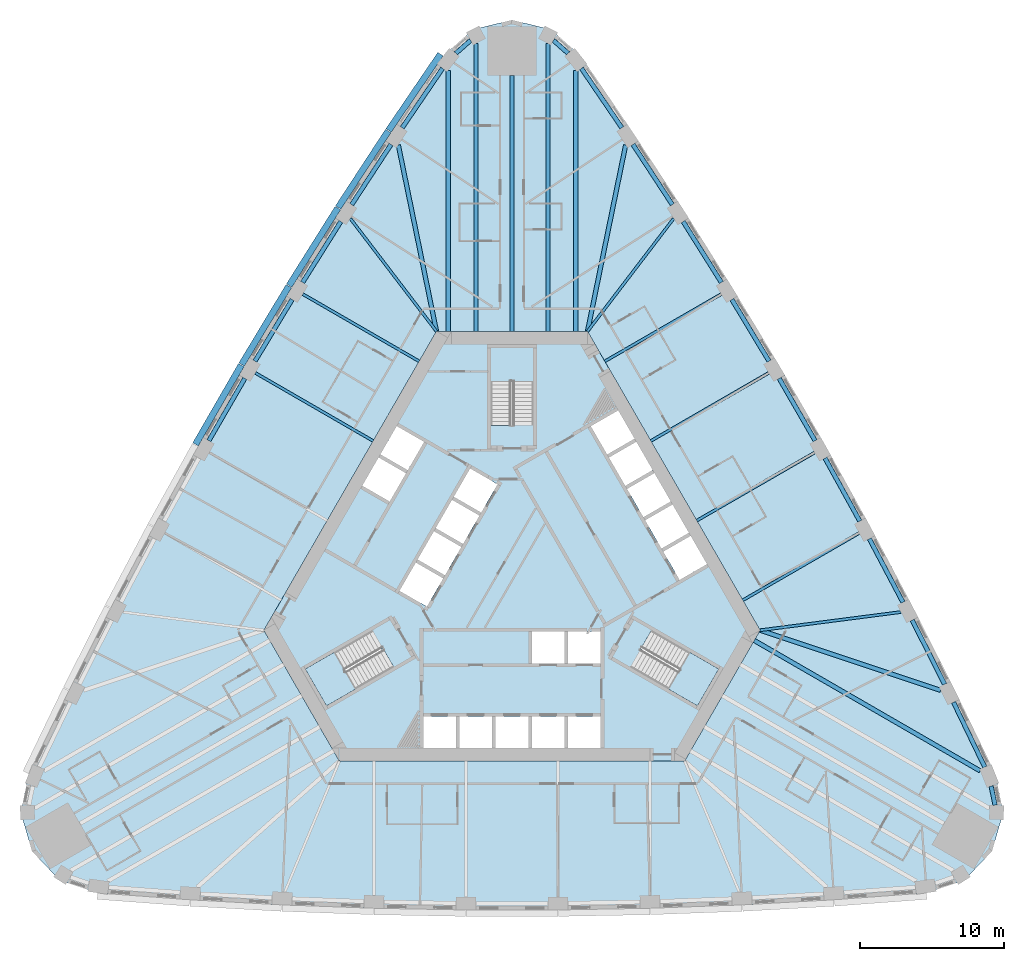
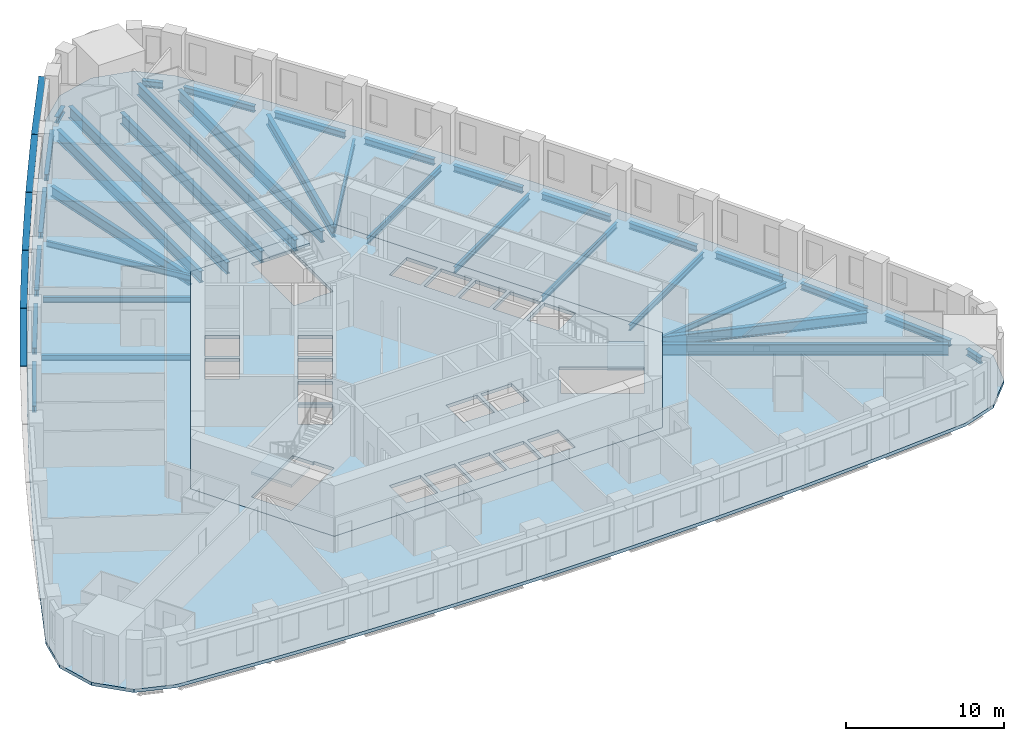
# One storey, part 2 of 12: 35 beams, 5 members, 5 slabs, 3 elements without a shape of their own.
"""IFC4 building model written with IfcOpenShell, lengths in metres."""

from ifc_helpers import new_model, si_unit, direction, frame, origin, origin_2d, place, context, subcontext, project, spatial, polyline, rectangle, i_section, outline, extrude, material, layer, layer_set, material_profile, profile_set, type_object, element, aggregate, save


model = new_model("IFC4")

# Units and contexts
model_context = context("Model", 3, precision=1e-05, world=origin(), true_north=direction((0.0, 1.0)))
body_context = subcontext(model_context, "Body", "Model", "MODEL_VIEW")
ifc_project = project(units=[si_unit("LENGTHUNIT", "METRE"), si_unit("AREAUNIT", "SQUARE_METRE"), si_unit("VOLUMEUNIT", "CUBIC_METRE"), si_unit("PLANEANGLEUNIT", "RADIAN"), si_unit("MASSUNIT", "GRAM", prefix="KILO")], contexts=[model_context])

# Site, building, storey
site_placement = place(None, origin())
site = spatial("IfcSite", under=ifc_project, at=site_placement, CompositionType="ELEMENT")
building_placement = place(site_placement, origin())
building = spatial("IfcBuilding", under=site, at=building_placement, Name="Mestral Congress Tower", CompositionType="ELEMENT")
storey_placement = place(building_placement, frame((0.0, 0.0, 66.60009765625)))
storey = spatial("IfcBuildingStorey", under=building, at=storey_placement, Name="L15", CompositionType="ELEMENT", Elevation=66.60009765625)

# Members
ifc_material_1 = material(Name="Glazed ceramic", Category="masonry")
ifc_material_profile_1 = material_profile(ifc_material_1, rectangle(XDim=0.449951171875, YDim=0.06005859375, at=origin_2d()), Name="Ceramic blade 450 x 60")
ifc_profile_set_1 = profile_set([ifc_material_profile_1], Name="Glazed ceramic")
member_type = type_object("IfcMemberType", Name="Facade sunshade blade 450 x 60", PredefinedType="USERDEFINED", material=ifc_profile_set_1)
member_1_placement = place(storey_placement, frame((-4.973388671875, 36.188232421875, 3.27978515625), z_axis=(-0.562633427576, -0.826706493367, 0.0), x_axis=(0.826706493367, -0.562633427576, 0.0)))
element("IfcMember", 1, at=member_1_placement, inside=storey, type_object=member_type, Name="Sunshade F2-00", ObjectType="SUNSHADE", PredefinedType="USERDEFINED", context=body_context, shape_type="SweptSolid", body=[
    extrude(rectangle(XDim=0.449951171875, YDim=0.06005859375, at=origin_2d()), origin(), (0.0, 0.0, 1.0), 6.4208984375),
])
member_2_placement = place(storey_placement, frame((-8.6103515625, 30.843505859375, 3.27978515625), z_axis=(-0.547211145376, -0.836994601163, 0.0), x_axis=(0.836994601163, -0.547211145376, 0.0)))
element("IfcMember", 2, at=member_2_placement, inside=storey, type_object=member_type, Name="Sunshade F2-01", ObjectType="SUNSHADE", PredefinedType="USERDEFINED", context=body_context, shape_type="SweptSolid", body=[
    extrude(rectangle(XDim=0.449951171875, YDim=0.06005859375, at=origin_2d()), origin(), (0.0, 0.0, 1.0), 6.368408203125),
])
for number, where, z_axis, x_axis, name in (
    (3, (-12.119140625, 25.47607421875, 3.27978515625), (-0.531665815747, -0.846954225662, 0.0), (0.846954225662, -0.531665815747, 0.0), "Sunshade F2-02"),
    (4, (-15.528076171875, 20.044921875, 3.27978515625), (-0.515904518528, -0.856646092481, 0.0), (0.856646092481, -0.515904518528, 0.0), "Sunshade F2-03"),
):
    element("IfcMember", number, at=place(storey_placement, frame(where, z_axis=z_axis, x_axis=x_axis)), inside=storey, type_object=member_type, Name=name, ObjectType="SUNSHADE", PredefinedType="USERDEFINED", context=body_context, shape_type="SweptSolid", body=[
        extrude(rectangle(XDim=0.449951171875, YDim=0.06005859375, at=origin_2d()), origin(), (0.0, 0.0, 1.0), 6.3681640625),
    ])
member_3_placement = place(storey_placement, frame((-18.8359375, 14.5517578125, 3.27978515625), z_axis=(-0.499990149842, -0.866031090701, 0.0), x_axis=(0.866031090701, -0.499990149842, 0.0)))
element("IfcMember", 5, at=member_3_placement, inside=storey, type_object=member_type, Name="Sunshade F2-04", ObjectType="SUNSHADE", PredefinedType="USERDEFINED", context=body_context, shape_type="SweptSolid", body=[
    extrude(rectangle(XDim=0.449951171875, YDim=0.06005859375, at=origin_2d()), origin(), (0.0, 0.0, 1.0), 6.368408203125),
])

# Beams
ifc_material_2 = material(Name="Steel S355", Category="steel")
ifc_material_profile_2 = material_profile(ifc_material_2, i_section(OverallWidth=0.300048828125, OverallDepth=0.800048828125, WebThickness=0.017578125, FlangeThickness=0.032958984375, FilletRadius=0.030029296875, at=origin_2d()), Name="HEB 800")
ifc_profile_set_2 = profile_set([ifc_material_profile_2], Name="Steel S355")
beam_type_1 = type_object("IfcBeamType", Name="Floor beam HEB 800 S355", PredefinedType="BEAM", material=ifc_profile_set_2)
for number, where, z_axis, x_axis, name in (
    (6, (29.8203125, -8.08349609375, -0.650146484375), (-0.948734931285, 0.316072824141, 0.0), (-0.316072824141, -0.948734931285, 0.0), "BM-L15-RB1-E01"),
    (7, (7.90966796875, 29.86669921875, -0.650146484375), (-0.200647311614, -0.979663542418, 0.0), (0.979663542418, -0.200647311614, 0.0), "BM-L15-RB1-E08"),
    (8, (-7.90966796875, 29.86669921875, -0.650146484375), (0.200647311614, -0.979663542418, 0.0), (0.979663542418, 0.200647311614, 0.0), "BM-L15-RB1-W01"),
):
    element("IfcBeam", number, at=place(storey_placement, frame(where, z_axis=z_axis, x_axis=x_axis)), inside=storey, type_object=beam_type_1, Name=name, PredefinedType="BEAM", context=body_context, shape_type="SweptSolid", body=[
        extrude(i_section(OverallWidth=0.300048828125, OverallDepth=0.800048828125, WebThickness=0.017578125, FlangeThickness=0.032958984375, FilletRadius=0.030029296875, at=origin_2d()), origin(), (0.0, 0.0, 1.0), 13.236083984375),
    ])
ifc_material_profile_3 = material_profile(ifc_material_2, i_section(OverallWidth=0.300048828125, OverallDepth=0.89990234375, WebThickness=0.0185546875, FlangeThickness=0.034912109375, FilletRadius=0.030029296875, at=origin_2d()), Name="HEB 900")
ifc_profile_set_3 = profile_set([ifc_material_profile_3], Name="Steel S355")
beam_type_2 = type_object("IfcBeamType", Name="Floor beam HEB 900 S355", PredefinedType="BEAM", material=ifc_profile_set_3)
beam_1_placement = place(storey_placement, frame((32.574462890625, -13.6845703125, -0.7001953125), z_axis=(-0.866029704776, 0.49999255039, 0.0), x_axis=(-0.49999255039, -0.866029704776, 0.0)))
element("IfcBeam", 9, at=beam_1_placement, inside=storey, type_object=beam_type_2, Name="BM-L15-RB1-E00", PredefinedType="BEAM", context=body_context, shape_type="SweptSolid", body=[
    extrude(i_section(OverallWidth=0.300048828125, OverallDepth=0.89990234375, WebThickness=0.0185546875, FlangeThickness=0.034912109375, FilletRadius=0.030029296875, at=origin_2d()), origin(), (0.0, 0.0, 1.0), 18.152587890625),
])
beam_2_placement = place(storey_placement, frame((4.43603515625, 35.052734375, -0.7001953125), z_axis=(0.0, -1.0, 0.0), x_axis=(1.0, 0.0, 0.0)))
element("IfcBeam", 10, at=beam_2_placement, inside=storey, type_object=beam_type_2, Name="BM-L15-RB1-E09", PredefinedType="BEAM", context=body_context, shape_type="SweptSolid", body=[
    extrude(i_section(OverallWidth=0.300048828125, OverallDepth=0.89990234375, WebThickness=0.0185546875, FlangeThickness=0.034912109375, FilletRadius=0.030029296875, at=origin_2d()), origin(), (0.0, 0.0, 1.0), 18.15283203125),
])
beam_3_placement = place(storey_placement, frame((2.503173828125, 36.91943359375, -0.7001953125), z_axis=(0.0, -1.0, 0.0), x_axis=(1.0, 0.0, 0.0)))
element("IfcBeam", 11, at=beam_3_placement, inside=storey, type_object=beam_type_2, Name="BM-L15-RB1-N1", PredefinedType="BEAM", context=body_context, shape_type="SweptSolid", body=[
    extrude(i_section(OverallWidth=0.300048828125, OverallDepth=0.89990234375, WebThickness=0.0185546875, FlangeThickness=0.034912109375, FilletRadius=0.030029296875, at=origin_2d()), origin(), (0.0, 0.0, 1.0), 20.01953125),
])
beam_4_placement = place(storey_placement, frame((0.0, 34.698974609375, -0.7001953125), z_axis=(0.0, -1.0, 0.0), x_axis=(1.0, 0.0, 0.0)))
element("IfcBeam", 12, at=beam_4_placement, inside=storey, type_object=beam_type_2, Name="BM-L15-RB1-N", PredefinedType="BEAM", context=body_context, shape_type="SweptSolid", body=[
    extrude(i_section(OverallWidth=0.300048828125, OverallDepth=0.89990234375, WebThickness=0.0185546875, FlangeThickness=0.034912109375, FilletRadius=0.030029296875, at=origin_2d()), origin(), (0.0, 0.0, 1.0), 17.799072265625),
])
beam_5_placement = place(storey_placement, frame((-2.503173828125, 36.91943359375, -0.7001953125), z_axis=(0.0, -1.0, 0.0), x_axis=(1.0, 0.0, 0.0)))
element("IfcBeam", 13, at=beam_5_placement, inside=storey, type_object=beam_type_2, Name="BM-L15-RB1-N3", PredefinedType="BEAM", context=body_context, shape_type="SweptSolid", body=[
    extrude(i_section(OverallWidth=0.300048828125, OverallDepth=0.89990234375, WebThickness=0.0185546875, FlangeThickness=0.034912109375, FilletRadius=0.030029296875, at=origin_2d()), origin(), (0.0, 0.0, 1.0), 20.01953125),
])
beam_6_placement = place(storey_placement, frame((-4.43603515625, 35.052734375, -0.7001953125), z_axis=(0.0, -1.0, 0.0), x_axis=(1.0, 0.0, 0.0)))
element("IfcBeam", 14, at=beam_6_placement, inside=storey, type_object=beam_type_2, Name="BM-L15-RB1-W00", PredefinedType="BEAM", context=body_context, shape_type="SweptSolid", body=[
    extrude(i_section(OverallWidth=0.300048828125, OverallDepth=0.89990234375, WebThickness=0.0185546875, FlangeThickness=0.034912109375, FilletRadius=0.030029296875, at=origin_2d()), origin(), (0.0, 0.0, 1.0), 18.15283203125),
])
ifc_material_profile_4 = material_profile(ifc_material_2, i_section(OverallWidth=0.18994140625, OverallDepth=0.449951171875, WebThickness=0.009521484375, FlangeThickness=0.0146484375, FilletRadius=0.02099609375, at=origin_2d()), Name="IPE 450")
ifc_profile_set_4 = profile_set([ifc_material_profile_4], Name="Steel S355")
beam_type_3 = type_object("IfcBeamType", Name="Floor beam IPE 450 S355", PredefinedType="BEAM", material=ifc_profile_set_4)
beam_7_placement = place(storey_placement, frame((27.058349609375, -2.6337890625, -0.47509765625), z_axis=(-0.99175011495, -0.128186229747, 0.0), x_axis=(0.128186229747, -0.99175011495, 0.0)))
element("IfcBeam", 15, at=beam_7_placement, inside=storey, type_object=beam_type_3, Name="BM-L15-RB1-E02", PredefinedType="BEAM", context=body_context, shape_type="SweptSolid", body=[
    extrude(i_section(OverallWidth=0.18994140625, OverallDepth=0.449951171875, WebThickness=0.009521484375, FlangeThickness=0.0146484375, FilletRadius=0.02099609375, at=origin_2d()), origin(), (0.0, 0.0, 1.0), 9.877197265625),
])
beam_8_placement = place(storey_placement, frame((24.150634765625, 2.859619140625, -0.47509765625), z_axis=(-0.866032011123, -0.499988555579, 0.0), x_axis=(0.499988555579, -0.866032011123, 0.0)))
element("IfcBeam", 16, at=beam_8_placement, inside=storey, type_object=beam_type_3, Name="BM-L15-RB1-E03", PredefinedType="BEAM", context=body_context, shape_type="SweptSolid", body=[
    extrude(i_section(OverallWidth=0.18994140625, OverallDepth=0.449951171875, WebThickness=0.009521484375, FlangeThickness=0.0146484375, FilletRadius=0.02099609375, at=origin_2d()), origin(), (0.0, 0.0, 1.0), 9.344970703125),
])
for number, where, z_axis, x_axis, name in (
    (17, (21.0537109375, 8.46044921875, -0.47509765625), (-0.866019749231, -0.500009793847, 0.0), (0.500009793847, -0.866019749231, 0.0), "BM-L15-RB1-E04"),
    (18, (17.853759765625, 14.0029296875, -0.47509765625), (-0.866019749231, -0.500009793847, 0.0), (0.500009793847, -0.866019749231, 0.0), "BM-L15-RB1-E05"),
):
    element("IfcBeam", number, at=place(storey_placement, frame(where, z_axis=z_axis, x_axis=x_axis)), inside=storey, type_object=beam_type_3, Name=name, PredefinedType="BEAM", context=body_context, shape_type="SweptSolid", body=[
        extrude(i_section(OverallWidth=0.18994140625, OverallDepth=0.449951171875, WebThickness=0.009521484375, FlangeThickness=0.0146484375, FilletRadius=0.02099609375, at=origin_2d()), origin(), (0.0, 0.0, 1.0), 9.463134765625),
    ])
beam_9_placement = place(storey_placement, frame((14.5517578125, 19.485107421875, -0.47509765625), z_axis=(-0.866025479842, -0.499999868264, 0.0), x_axis=(0.499999868264, -0.866025479842, 0.0)))
element("IfcBeam", 19, at=beam_9_placement, inside=storey, type_object=beam_type_3, Name="BM-L15-RB1-E06", PredefinedType="BEAM", context=body_context, shape_type="SweptSolid", body=[
    extrude(i_section(OverallWidth=0.18994140625, OverallDepth=0.449951171875, WebThickness=0.009521484375, FlangeThickness=0.0146484375, FilletRadius=0.02099609375, at=origin_2d()), origin(), (0.0, 0.0, 1.0), 9.3447265625),
])
for number, where, z_axis, x_axis, name in (
    (20, (11.248291015625, 24.75, -0.47509765625), (-0.606898557801, -0.794779303039, 0.0), (0.794779303039, -0.606898557801, 0.0), "BM-L15-RB1-E07"),
    (21, (-11.248291015625, 24.75, -0.47509765625), (0.606898557801, -0.794779303039, 0.0), (0.794779303039, 0.606898557801, 0.0), "BM-L15-RB1-W02"),
):
    element("IfcBeam", number, at=place(storey_placement, frame(where, z_axis=z_axis, x_axis=x_axis)), inside=storey, type_object=beam_type_3, Name=name, PredefinedType="BEAM", context=body_context, shape_type="SweptSolid", body=[
        extrude(i_section(OverallWidth=0.18994140625, OverallDepth=0.449951171875, WebThickness=0.009521484375, FlangeThickness=0.0146484375, FilletRadius=0.02099609375, at=origin_2d()), origin(), (0.0, 0.0, 1.0), 9.877197265625),
    ])
beam_10_placement = place(storey_placement, frame((-14.5517578125, 19.485107421875, -0.47509765625), z_axis=(0.866025479842, -0.499999868264, 0.0), x_axis=(0.499999868264, 0.866025479842, 0.0)))
element("IfcBeam", 22, at=beam_10_placement, inside=storey, type_object=beam_type_3, Name="BM-L15-RB1-W03", PredefinedType="BEAM", context=body_context, shape_type="SweptSolid", body=[
    extrude(i_section(OverallWidth=0.18994140625, OverallDepth=0.449951171875, WebThickness=0.009521484375, FlangeThickness=0.0146484375, FilletRadius=0.02099609375, at=origin_2d()), origin(), (0.0, 0.0, 1.0), 9.3447265625),
])
beam_11_placement = place(storey_placement, frame((-17.853759765625, 14.0029296875, -0.47509765625), z_axis=(0.866019749231, -0.500009793847, 0.0), x_axis=(0.500009793847, 0.866019749231, 0.0)))
element("IfcBeam", 23, at=beam_11_placement, inside=storey, type_object=beam_type_3, Name="BM-L15-RB1-W04", PredefinedType="BEAM", context=body_context, shape_type="SweptSolid", body=[
    extrude(i_section(OverallWidth=0.18994140625, OverallDepth=0.449951171875, WebThickness=0.009521484375, FlangeThickness=0.0146484375, FilletRadius=0.02099609375, at=origin_2d()), origin(), (0.0, 0.0, 1.0), 9.463134765625),
])
ifc_material_profile_5 = material_profile(ifc_material_2, i_section(OverallWidth=0.300048828125, OverallDepth=0.489990234375, WebThickness=0.011962890625, FlangeThickness=0.02294921875, FilletRadius=0.027099609375, at=origin_2d()), Name="HEA 500")
ifc_profile_set_5 = profile_set([ifc_material_profile_5], Name="Steel S355")
beam_type_4 = type_object("IfcBeamType", Name="Spandrel beam HEA 500 S355", PredefinedType="BEAM", material=ifc_profile_set_5)
beam_12_placement = place(storey_placement, frame((33.611328125, -16.0693359375, -0.4951171875), z_axis=(-0.197991750859, 0.980203686277, 0.0), x_axis=(-0.980203686277, -0.197991750859, 0.0)))
element("IfcBeam", 24, at=beam_12_placement, inside=storey, type_object=beam_type_4, Name="SP-L15-SB1-SE3", PredefinedType="BEAM", context=body_context, shape_type="SweptSolid", body=[
    extrude(i_section(OverallWidth=0.300048828125, OverallDepth=0.489990234375, WebThickness=0.011962890625, FlangeThickness=0.02294921875, FilletRadius=0.027099609375, at=origin_2d()), origin(), (0.0, 0.0, 1.0), 1.3515625),
])
beam_13_placement = place(storey_placement, frame((32.897705078125, -13.415283203125, -0.4951171875), z_axis=(-0.434645244295, 0.900601749727, 0.0), x_axis=(-0.900601749727, -0.434645244295, 0.0)))
element("IfcBeam", 25, at=beam_13_placement, inside=storey, type_object=beam_type_4, Name="SP-L15-SB1-E00", PredefinedType="BEAM", context=body_context, shape_type="SweptSolid", body=[
    extrude(i_section(OverallWidth=0.300048828125, OverallDepth=0.489990234375, WebThickness=0.011962890625, FlangeThickness=0.02294921875, FilletRadius=0.027099609375, at=origin_2d()), origin(), (0.0, 0.0, 1.0), 4.998046875),
])
beam_14_placement = place(storey_placement, frame((30.105224609375, -7.658935546875, -0.4951171875), z_axis=(-0.45123261425, 0.892406369227, 0.0), x_axis=(-0.892406369227, -0.45123261425, 0.0)))
element("IfcBeam", 26, at=beam_14_placement, inside=storey, type_object=beam_type_4, Name="SP-L15-SB1-E01", PredefinedType="BEAM", context=body_context, shape_type="SweptSolid", body=[
    extrude(i_section(OverallWidth=0.300048828125, OverallDepth=0.489990234375, WebThickness=0.011962890625, FlangeThickness=0.02294921875, FilletRadius=0.027099609375, at=origin_2d()), origin(), (0.0, 0.0, 1.0), 4.999755859375),
])
beam_15_placement = place(storey_placement, frame((27.2060546875, -1.95361328125, -0.4951171875), z_axis=(-0.467681307417, 0.883897162962, 0.0), x_axis=(-0.883897162962, -0.467681307417, 0.0)))
element("IfcBeam", 27, at=beam_15_placement, inside=storey, type_object=beam_type_4, Name="SP-L15-SB1-E02", PredefinedType="BEAM", context=body_context, shape_type="SweptSolid", body=[
    extrude(i_section(OverallWidth=0.300048828125, OverallDepth=0.489990234375, WebThickness=0.011962890625, FlangeThickness=0.02294921875, FilletRadius=0.027099609375, at=origin_2d()), origin(), (0.0, 0.0, 1.0), 5.0),
])
for number, where, z_axis, x_axis, name in (
    (28, (24.20166015625, 3.697265625, -0.4951171875), (-0.483900688062, 0.875122919419, 0.0), (-0.875122919419, -0.483900688062, 0.0), "SP-L15-SB1-E03"),
    (29, (21.093505859375, 9.291748046875, -0.4951171875), (-0.50002537861, 0.866010750942, 0.0), (-0.866010750942, -0.50002537861, 0.0), "SP-L15-SB1-E04"),
    (30, (17.88232421875, 14.82763671875, -0.4951171875), (-0.515938385622, 0.85662569553, 0.0), (-0.85662569553, -0.515938385622, 0.0), "SP-L15-SB1-E05"),
    (31, (14.5693359375, 20.302978515625, -0.4951171875), (-0.531661433361, 0.846956976639, 0.0), (-0.846956976639, -0.531661433361, 0.0), "SP-L15-SB1-E06"),
):
    element("IfcBeam", number, at=place(storey_placement, frame(where, z_axis=z_axis, x_axis=x_axis)), inside=storey, type_object=beam_type_4, Name=name, PredefinedType="BEAM", context=body_context, shape_type="SweptSolid", body=[
        extrude(i_section(OverallWidth=0.300048828125, OverallDepth=0.489990234375, WebThickness=0.011962890625, FlangeThickness=0.02294921875, FilletRadius=0.027099609375, at=origin_2d()), origin(), (0.0, 0.0, 1.0), 4.999755859375),
    ])
beam_16_placement = place(storey_placement, frame((11.156005859375, 25.716552734375, -0.4951171875), z_axis=(-0.547263834194, 0.836960151849, 0.0), x_axis=(-0.836960151849, -0.547263834194, 0.0)))
element("IfcBeam", 32, at=beam_16_placement, inside=storey, type_object=beam_type_4, Name="SP-L15-SB1-E07", PredefinedType="BEAM", context=body_context, shape_type="SweptSolid", body=[
    extrude(i_section(OverallWidth=0.300048828125, OverallDepth=0.489990234375, WebThickness=0.011962890625, FlangeThickness=0.02294921875, FilletRadius=0.027099609375, at=origin_2d()), origin(), (0.0, 0.0, 1.0), 5.0),
])
beam_17_placement = place(storey_placement, frame((7.642822265625, 31.06591796875, -0.4951171875), z_axis=(-0.562610596841, 0.826722030868, 0.0), x_axis=(-0.826722030868, -0.562610596841, 0.0)))
element("IfcBeam", 33, at=beam_17_placement, inside=storey, type_object=beam_type_4, Name="SP-L15-SB1-E08", PredefinedType="BEAM", context=body_context, shape_type="SweptSolid", body=[
    extrude(i_section(OverallWidth=0.300048828125, OverallDepth=0.489990234375, WebThickness=0.011962890625, FlangeThickness=0.02294921875, FilletRadius=0.027099609375, at=origin_2d()), origin(), (0.0, 0.0, 1.0), 4.998046875),
])
for number, where, z_axis, x_axis, name in (
    (34, (3.902587890625, 36.248779296875, -0.4951171875), (-0.749806226219, 0.661657481725, 0.0), (-0.661657481725, -0.749806226219, 0.0), "SP-L15-SB1-E09"),
    (35, (-2.88916015625, 37.14306640625, -0.4951171875), (-0.749806226219, -0.661657481725, 0.0), (0.661657481725, -0.749806226219, 0.0), "SP-L15-SB1-N3"),
):
    element("IfcBeam", number, at=place(storey_placement, frame(where, z_axis=z_axis, x_axis=x_axis)), inside=storey, type_object=beam_type_4, Name=name, PredefinedType="BEAM", context=body_context, shape_type="SweptSolid", body=[
        extrude(i_section(OverallWidth=0.300048828125, OverallDepth=0.489990234375, WebThickness=0.011962890625, FlangeThickness=0.02294921875, FilletRadius=0.027099609375, at=origin_2d()), origin(), (0.0, 0.0, 1.0), 1.3515625),
    ])
beam_18_placement = place(storey_placement, frame((-4.830810546875, 35.197998046875, -0.4951171875), z_axis=(-0.562610596841, -0.826722030868, 0.0), x_axis=(0.826722030868, -0.562610596841, 0.0)))
element("IfcBeam", 36, at=beam_18_placement, inside=storey, type_object=beam_type_4, Name="SP-L15-SB1-W00", PredefinedType="BEAM", context=body_context, shape_type="SweptSolid", body=[
    extrude(i_section(OverallWidth=0.300048828125, OverallDepth=0.489990234375, WebThickness=0.011962890625, FlangeThickness=0.02294921875, FilletRadius=0.027099609375, at=origin_2d()), origin(), (0.0, 0.0, 1.0), 4.998046875),
])
beam_19_placement = place(storey_placement, frame((-8.419677734375, 29.9013671875, -0.4951171875), z_axis=(-0.547263834194, -0.836960151849, 0.0), x_axis=(0.836960151849, -0.547263834194, 0.0)))
element("IfcBeam", 37, at=beam_19_placement, inside=storey, type_object=beam_type_4, Name="SP-L15-SB1-W01", PredefinedType="BEAM", context=body_context, shape_type="SweptSolid", body=[
    extrude(i_section(OverallWidth=0.300048828125, OverallDepth=0.489990234375, WebThickness=0.011962890625, FlangeThickness=0.02294921875, FilletRadius=0.027099609375, at=origin_2d()), origin(), (0.0, 0.0, 1.0), 5.0),
])
for number, where, z_axis, x_axis, name in (
    (38, (-11.9111328125, 24.53759765625, -0.4951171875), (-0.531661433361, -0.846956976639, 0.0), (0.846956976639, -0.531661433361, 0.0), "SP-L15-SB1-W02"),
    (39, (-15.302734375, 19.110595703125, -0.4951171875), (-0.515938385622, -0.85662569553, 0.0), (0.85662569553, -0.515938385622, 0.0), "SP-L15-SB1-W03"),
    (40, (-18.593505859375, 13.62158203125, -0.4951171875), (-0.50002537861, -0.866010750942, 0.0), (0.866010750942, -0.50002537861, 0.0), "SP-L15-SB1-W04"),
):
    element("IfcBeam", number, at=place(storey_placement, frame(where, z_axis=z_axis, x_axis=x_axis)), inside=storey, type_object=beam_type_4, Name=name, PredefinedType="BEAM", context=body_context, shape_type="SweptSolid", body=[
        extrude(i_section(OverallWidth=0.300048828125, OverallDepth=0.489990234375, WebThickness=0.011962890625, FlangeThickness=0.02294921875, FilletRadius=0.027099609375, at=origin_2d()), origin(), (0.0, 0.0, 1.0), 4.999755859375),
    ])

# Slabs
ifc_material_3 = material(Name="Concrete C35/45", Category="concrete")
ifc_layer_1 = layer(ifc_material_3, 0.25)
ifc_layer_set_1 = layer_set([ifc_layer_1], Name="Concrete C35/45")
slab_type_1 = type_object("IfcSlabType", Name="Composite floor slab 250", PredefinedType="FLOOR", material=ifc_layer_set_1)
placement_1 = place(storey_placement, frame((0.0, 0.0, -0.25)))
element("IfcSlab", 41, at=placement_1, inside=storey, type_object=slab_type_1, Name="SL-L15", PredefinedType="FLOOR", context=body_context, shape_type="SweptSolid", body=[
    extrude(outline(polyline([(-28.8564453125, -22.17529296875), (-31.45849609375, -21.301025390625), (-33.39599609375, -19.28125), (-34.176513671875, -16.59326171875), (-33.6328125, -13.90283203125), (-30.824462890625, -8.084228515625), (-27.93310546875, -2.365478515625), (-24.936279296875, 3.298828125), (-21.835205078125, 8.90673828125), (-18.631103515625, 14.45654296875), (-15.324951171875, 19.946044921875), (-11.91796875, 25.373291015625), (-8.4111328125, 30.737060546875), (-4.776123046875, 36.078125), (-2.718017578125, 37.894287109375), (0.0, 38.562255859375), (2.718017578125, 37.894287109375), (4.776123046875, 36.078125), (8.4111328125, 30.737060546875), (11.91796875, 25.373291015625), (15.324951171875, 19.946044921875), (18.631103515625, 14.45654296875), (21.835205078125, 8.90673828125), (24.936279296875, 3.298828125), (27.93310546875, -2.365478515625), (30.824462890625, -8.084228515625), (33.6328125, -13.90283203125), (34.176513671875, -16.59326171875), (33.39599609375, -19.28125), (31.45849609375, -21.301025390625), (28.8564453125, -22.17529296875), (22.41357421875, -22.652587890625), (16.01513671875, -23.0078125), (9.611083984375, -23.244873046875), (3.2041015625, -23.36328125), (-3.2041015625, -23.36328125), (-9.611083984375, -23.244873046875), (-16.01513671875, -23.0078125), (-22.41357421875, -22.652587890625), (-28.8564453125, -22.17529296875)]), holes=[polyline([(-5.25390625, 16.89990234375), (-17.2626953125, -3.89990234375), (-12.0087890625, -13.0), (12.0087890625, -13.0), (17.2626953125, -3.89990234375), (5.25390625, 16.89990234375), (-5.25390625, 16.89990234375)])]), origin(), (0.0, 0.0, 1.0), 0.25),
])
ifc_material_4 = material(Name="Concrete C60/75", Category="concrete")
ifc_layer_2 = layer(ifc_material_4, 0.25)
ifc_layer_set_2 = layer_set([ifc_layer_2], Name="Concrete C60/75")
slab_type_2 = type_object("IfcSlabType", Name="Core floor slab RC 250", PredefinedType="FLOOR", material=ifc_layer_set_2)
element("IfcSlab", 42, at=placement_1, inside=storey, type_object=slab_type_2, Name="L15 core floor", PredefinedType="FLOOR", context=body_context, shape_type="SweptSolid", body=[
    extrude(outline(polyline([(12.0087890625, -13.0), (-12.0087890625, -13.0), (-17.2626953125, -3.89990234375), (-5.25390625, 16.89990234375), (5.25390625, 16.89990234375), (17.2626953125, -3.89990234375), (12.0087890625, -13.0)]), holes=[polyline([(-3.905029296875, -9.89990234375), (-6.175048828125, -9.89990234375), (-6.175048828125, -12.10009765625), (-3.905029296875, -12.10009765625), (-3.905029296875, -9.89990234375)]), polyline([(-1.385009765625, -9.89990234375), (-3.655029296875, -9.89990234375), (-3.655029296875, -12.10009765625), (-1.385009765625, -12.10009765625), (-1.385009765625, -9.89990234375)]), polyline([(1.135009765625, -9.89990234375), (-1.135009765625, -9.89990234375), (-1.135009765625, -12.10009765625), (1.135009765625, -12.10009765625), (1.135009765625, -9.89990234375)]), polyline([(-9.0673828125, -5.235107421875), (-9.8046875, -3.95751953125), (-14.37744140625, -6.59765625), (-12.90234375, -9.15234375), (-8.234619140625, -6.45751953125), (-8.971923828125, -5.179931640625), (-9.0673828125, -5.235107421875)]), polyline([(-7.826904296875, -1.156494140625), (-5.921630859375, -2.256591796875), (-4.78662109375, -0.29052734375), (-6.69189453125, 0.809326171875), (-7.826904296875, -1.156494140625)]), polyline([(-4.66162109375, -0.07421875), (-3.526611328125, 1.8916015625), (-5.431884765625, 2.99169921875), (-6.56689453125, 1.02587890625), (-4.66162109375, -0.07421875)]), polyline([(-3.401611328125, 2.1083984375), (-2.2666015625, 4.07421875), (-4.171875, 5.174072265625), (-5.306884765625, 3.208251953125), (-3.401611328125, 2.1083984375)]), polyline([(-2.1416015625, 4.29052734375), (-1.006591796875, 6.256591796875), (-2.911865234375, 7.3564453125), (-4.046875, 5.390625), (-2.1416015625, 4.29052734375)]), polyline([(-10.41650390625, 6.158203125), (-8.51123046875, 5.058349609375), (-7.376220703125, 7.024169921875), (-9.281494140625, 8.1240234375), (-10.41650390625, 6.158203125)]), polyline([(-9.156494140625, 8.340576171875), (-7.251220703125, 7.240478515625), (-6.1162109375, 9.20654296875), (-8.021484375, 10.306396484375), (-9.156494140625, 8.340576171875)]), polyline([(1.47509765625, 10.469970703125), (1.47509765625, 15.75), (-1.47509765625, 15.75), (-1.47509765625, 10.360107421875), (0.0, 10.360107421875), (0.0, 10.469970703125), (1.47509765625, 10.469970703125)]), polyline([(3.655029296875, -9.89990234375), (1.385009765625, -9.89990234375), (1.385009765625, -12.10009765625), (3.655029296875, -12.10009765625), (3.655029296875, -9.89990234375)]), polyline([(6.175048828125, -9.89990234375), (3.905029296875, -9.89990234375), (3.905029296875, -12.10009765625), (6.175048828125, -12.10009765625), (6.175048828125, -9.89990234375)]), polyline([(9.0673828125, -5.235107421875), (8.329833984375, -6.512451171875), (12.90234375, -9.15234375), (14.37744140625, -6.59765625), (9.70947265625, -3.902587890625), (8.971923828125, -5.179931640625), (9.0673828125, -5.235107421875)]), polyline([(3.655029296875, -6.199951171875), (3.655029296875, -4.0), (1.385009765625, -4.0), (1.385009765625, -6.199951171875), (3.655029296875, -6.199951171875)]), polyline([(6.175048828125, -4.0), (3.905029296875, -4.0), (3.905029296875, -6.199951171875), (6.175048828125, -6.199951171875), (6.175048828125, -4.0)]), polyline([(12.431396484375, 2.668212890625), (10.526123046875, 1.568115234375), (11.6611328125, -0.397705078125), (13.56640625, 0.702392578125), (12.431396484375, 2.668212890625)]), polyline([(11.17138671875, 4.8505859375), (9.26611328125, 3.75048828125), (10.401123046875, 1.78466796875), (12.306396484375, 2.884765625), (11.17138671875, 4.8505859375)]), polyline([(8.006103515625, 5.932861328125), (9.14111328125, 3.967041015625), (11.04638671875, 5.067138671875), (9.911376953125, 7.032958984375), (8.006103515625, 5.932861328125)]), polyline([(8.6513671875, 9.21533203125), (6.74609375, 8.115234375), (7.881103515625, 6.1494140625), (9.786376953125, 7.24951171875), (8.6513671875, 9.21533203125)]), polyline([(7.391357421875, 11.397705078125), (5.486083984375, 10.297607421875), (6.62109375, 8.331787109375), (8.5263671875, 9.431884765625), (7.391357421875, 11.397705078125)])]), origin(), (0.0, 0.0, 1.0), 0.25),
])

# Stair, slab
stair_type = type_object("IfcStairType", Name="Exit stair 1400", PredefinedType="HALF_TURN_STAIR", material=ifc_material_4)
placement_2 = place(storey_placement, origin())
stair_1 = element("IfcStair", 43, at=placement_2, inside=storey, type_object=stair_type, Name="L15 ST1", PredefinedType="HALF_TURN_STAIR")
ifc_layer_3 = layer(ifc_material_4, 0.199951171875)
ifc_layer_set_3 = layer_set([ifc_layer_3], Name="Concrete C60/75")
slab_type_3 = type_object("IfcSlabType", Name="Exit stair landing 200", PredefinedType="LANDING", material=ifc_layer_set_3)
placement_3 = place(storey_placement, frame((0.0, 0.0, 1.75)))
slab_3 = element("IfcSlab", 44, at=placement_3, type_object=slab_type_3, Name="ST1 landing 1", PredefinedType="LANDING", context=body_context, shape_type="SweptSolid", body=[
    extrude(outline(polyline([(10.879638671875, -7.99609375), (12.364501953125, -5.424072265625), (14.39111328125, -6.593994140625), (12.906005859375, -9.166015625), (10.879638671875, -7.99609375)])), origin(), (0.0, 0.0, 1.0), 0.199951171875),
])
aggregate(stair_1, [slab_3])

stair_2 = element("IfcStair", 45, at=placement_2, inside=storey, type_object=stair_type, Name="L15 ST2", PredefinedType="HALF_TURN_STAIR")
slab_4 = element("IfcSlab", 46, at=placement_3, type_object=slab_type_3, Name="ST2 landing 1", PredefinedType="LANDING", context=body_context, shape_type="SweptSolid", body=[
    extrude(outline(polyline([(1.485107421875, 13.419921875), (-1.485107421875, 13.419921875), (-1.485107421875, 15.760009765625), (1.485107421875, 15.760009765625), (1.485107421875, 13.419921875)])), origin(), (0.0, 0.0, 1.0), 0.199951171875),
])
aggregate(stair_2, [slab_4])

stair_3 = element("IfcStair", 47, at=placement_2, inside=storey, type_object=stair_type, Name="L15 ST3", PredefinedType="HALF_TURN_STAIR")
slab_5 = element("IfcSlab", 48, at=placement_3, type_object=slab_type_3, Name="ST3 landing 1", PredefinedType="LANDING", context=body_context, shape_type="SweptSolid", body=[
    extrude(outline(polyline([(-12.364501953125, -5.424072265625), (-10.879638671875, -7.99609375), (-12.906005859375, -9.166015625), (-14.39111328125, -6.593994140625), (-12.364501953125, -5.424072265625)])), origin(), (0.0, 0.0, 1.0), 0.199951171875),
])
aggregate(stair_3, [slab_5])

save(model, "model.ifc")
